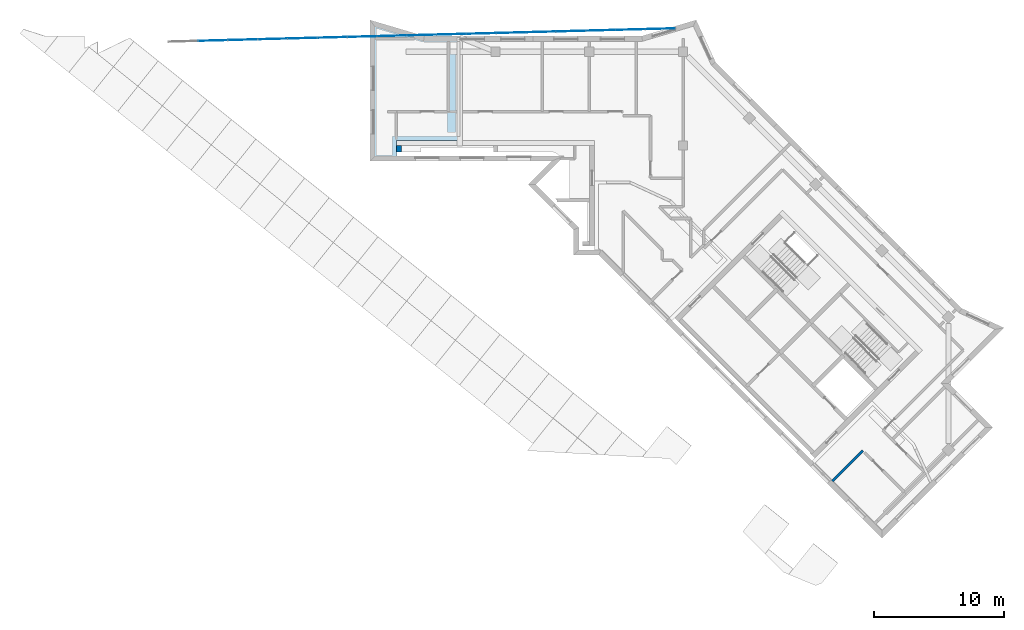
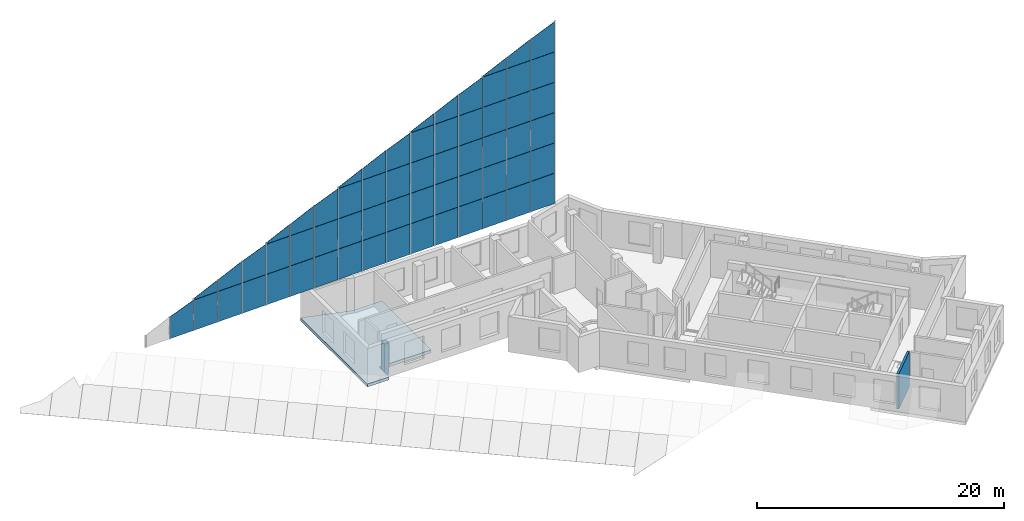
# One storey, part 6 of 13: 61 plates, 2 walls, 1 slab, 1 element without a shape of its own.
"""IFC4 building model written with IfcOpenShell, lengths in metres."""

from ifc_helpers import new_model, si_unit, direction, frame, frame_2d, origin, place, context, subcontext, project, spatial, polyline, rectangle, outline, extrude, material, layer, layer_set, type_object, element, aggregate, save


model = new_model("IFC4")

# Units and contexts
model_context = context("Model", 3, precision=1e-05, world=origin(), true_north=direction((0.0, 1.0)))
body_context = subcontext(model_context, "Body", "Model", "MODEL_VIEW")
ifc_project = project(units=[si_unit("LENGTHUNIT", "METRE"), si_unit("AREAUNIT", "SQUARE_METRE"), si_unit("VOLUMEUNIT", "CUBIC_METRE"), si_unit("PLANEANGLEUNIT", "RADIAN"), si_unit("MASSUNIT", "GRAM", prefix="KILO")], contexts=[model_context])

# Site, building, storey
site_placement = place(None, origin())
site = spatial("IfcSite", under=ifc_project, at=site_placement, CompositionType="ELEMENT")
building_placement = place(site_placement, origin())
building = spatial("IfcBuilding", under=site, at=building_placement, Name="Windrow Commons", CompositionType="ELEMENT")
storey_placement = place(building_placement, frame((0.0, 0.0, 302.0)))
storey = spatial("IfcBuildingStorey", under=building, at=storey_placement, Name="L82", CompositionType="ELEMENT", Elevation=302.0)

# Curtain wall, plates
ifc_material_1 = material(Name="Laminated glass in anodised aluminium frame", Category="aluminium")
curtain_wall_type = type_object("IfcCurtainWallType", Name="Curtain wall crown terrace screen", PredefinedType="USERDEFINED", material=ifc_material_1)
curtain_wall_placement = place(storey_placement, origin())
curtain_wall = element("IfcCurtainWall", 1, at=curtain_wall_placement, inside=storey, type_object=curtain_wall_type, Name="Glazed crown screen L82", ObjectType="STICK", PredefinedType="USERDEFINED")
ifc_material_2 = material(Name="Laminated glass in aluminium frame", Category="aluminium")
ifc_layer_1 = layer(ifc_material_2, 0.03)
ifc_layer_set_1 = layer_set([ifc_layer_1], Name="Crown screen glazing 2400")
plate_type = type_object("IfcPlateType", Name="Crown screen glazing 2400", PredefinedType="SHEET", material=ifc_layer_set_1)
plate_1_placement = place(storey_placement, frame((42.0055, 72.8091, 3.5), z_axis=(0.0262878068, -0.9996544159, 0.0), x_axis=(0.9996544159, 0.0262878068, 0.0)))
plate_1 = element("IfcPlate", 2, at=plate_1_placement, type_object=plate_type, Name="Crown screen glazing L82", PredefinedType="SHEET", context=body_context, shape_type="SweptSolid", body=[
    extrude(outline(polyline([(0.0, 0.0), (2.2292, 0.0), (2.2292, 3.0), (0.0, 2.1601), (0.0, 0.0)])), origin(), (0.0, 0.0, -1.0), 0.03),
])
plate_2_placement = place(storey_placement, frame((44.2938, 72.8693, 3.5), z_axis=(0.026242978, -0.9996555937, 0.0), x_axis=(0.9996555937, 0.026242978, 0.0)))
plate_2 = element("IfcPlate", 3, at=plate_2_placement, type_object=plate_type, Name="Crown screen glazing L82", PredefinedType="SHEET", context=body_context, shape_type="SweptSolid", body=[
    extrude(outline(polyline([(0.0, 0.0), (2.2292, 0.0), (2.2292, 3.0), (0.0, 3.0), (0.0, 0.0)])), origin(), (0.0, 0.0, -1.0), 0.03),
])
plate_3_placement = place(storey_placement, frame((44.2938, 72.8693, 6.52), z_axis=(0.026242978, -0.9996555937, 0.0), x_axis=(0.9996555937, 0.026242978, 0.0)))
plate_3 = element("IfcPlate", 4, at=plate_3_placement, type_object=plate_type, Name="Crown screen glazing L82", PredefinedType="SHEET", context=body_context, shape_type="SweptSolid", body=[
    extrude(outline(polyline([(0.0, 0.0), (2.2292, 0.0), (2.2292, 1.1319), (0.0, 0.136), (0.0, 0.0)])), origin(), (0.0, 0.0, -1.0), 0.03),
])
plate_4_placement = place(storey_placement, frame((46.5822, 72.9294, 3.5), z_axis=(0.0262441549, -0.9996555628, 0.0), x_axis=(0.9996555628, 0.0262441549, 0.0)))
plate_4 = element("IfcPlate", 5, at=plate_4_placement, type_object=plate_type, Name="Crown screen glazing L82", PredefinedType="SHEET", context=body_context, shape_type="SweptSolid", body=[
    extrude(outline(polyline([(0.0, 0.0), (2.2291, 0.0), (2.2291, 3.0), (0.0, 3.0), (0.0, 0.0)])), origin(), (0.0, 0.0, -1.0), 0.03),
])
plate_5_placement = place(storey_placement, frame((46.5822, 72.9294, 6.52), z_axis=(0.0262441549, -0.9996555628, 0.0), x_axis=(0.9996555628, 0.0262441549, 0.0)))
plate_5 = element("IfcPlate", 6, at=plate_5_placement, type_object=plate_type, Name="Crown screen glazing L82", PredefinedType="SHEET", context=body_context, shape_type="SweptSolid", body=[
    extrude(outline(polyline([(0.0, 0.0), (2.2291, 0.0), (2.2291, 2.1278), (0.0, 1.1319), (0.0, 0.0)])), origin(), (0.0, 0.0, -1.0), 0.03),
])
plate_6_placement = place(storey_placement, frame((48.8705, 72.9895, 3.5), z_axis=(0.0262878068, -0.9996544159, 0.0), x_axis=(0.9996544159, 0.0262878068, 0.0)))
plate_6 = element("IfcPlate", 7, at=plate_6_placement, type_object=plate_type, Name="Crown screen glazing L82", PredefinedType="SHEET", context=body_context, shape_type="SweptSolid", body=[
    extrude(outline(polyline([(0.0, 0.0), (2.2292, 0.0), (2.2292, 3.0), (0.0, 3.0), (0.0, 0.0)])), origin(), (0.0, 0.0, -1.0), 0.03),
])
plate_7_placement = place(storey_placement, frame((48.8705, 72.9895, 6.52), z_axis=(0.0262878068, -0.9996544159, 0.0), x_axis=(0.9996544159, 0.0262878068, 0.0)))
plate_7 = element("IfcPlate", 8, at=plate_7_placement, type_object=plate_type, Name="Crown screen glazing L82", PredefinedType="SHEET", context=body_context, shape_type="SweptSolid", body=[
    extrude(outline(polyline([(0.0, 0.0), (2.2292, 0.0), (2.2292, 2.98), (0.0, 2.1278), (0.0, 0.0)])), origin(), (0.0, 0.0, -1.0), 0.03),
])
plate_8_placement = place(storey_placement, frame((51.1589, 73.0496, 3.5), z_axis=(0.0262889858, -0.9996543849, 0.0), x_axis=(0.9996543849, 0.0262889858, 0.0)))
plate_8 = element("IfcPlate", 9, at=plate_8_placement, type_object=plate_type, Name="Crown screen glazing L82", PredefinedType="SHEET", context=body_context, shape_type="SweptSolid", body=[
    extrude(outline(polyline([(0.0, 0.0), (2.2291, 0.0), (2.2291, 3.0), (0.0, 3.0), (0.0, 0.0)])), origin(), (0.0, 0.0, -1.0), 0.03),
])
plate_9_placement = place(storey_placement, frame((51.1589, 73.0496, 6.52), z_axis=(0.0262889858, -0.9996543849, 0.0), x_axis=(0.9996543849, 0.0262889858, 0.0)))
plate_9 = element("IfcPlate", 10, at=plate_9_placement, type_object=plate_type, Name="Crown screen glazing L82", PredefinedType="SHEET", context=body_context, shape_type="SweptSolid", body=[
    extrude(outline(polyline([(0.0, 0.0), (2.2291, 0.0), (2.2291, 2.98), (0.0, 2.98), (0.0, 0.0)])), origin(), (0.0, 0.0, -1.0), 0.03),
])
plate_10_placement = place(storey_placement, frame((51.1589, 73.0496, 9.52), z_axis=(0.0262889858, -0.9996543849, 0.0), x_axis=(0.9996543849, 0.0262889858, 0.0)))
plate_10 = element("IfcPlate", 11, at=plate_10_placement, type_object=plate_type, Name="Crown screen glazing L82", PredefinedType="SHEET", context=body_context, shape_type="SweptSolid", body=[
    extrude(outline(polyline([(0.0, 0.0), (2.2291, 0.0), (2.2291, 1.1196), (0.0, 0.1237), (0.0, 0.0)])), origin(), (0.0, 0.0, -1.0), 0.03),
])
plate_11_placement = place(storey_placement, frame((53.4472, 73.1098, 3.5), z_axis=(0.026242978, -0.9996555937, 0.0), x_axis=(0.9996555937, 0.026242978, 0.0)))
plate_11 = element("IfcPlate", 12, at=plate_11_placement, type_object=plate_type, Name="Crown screen glazing L82", PredefinedType="SHEET", context=body_context, shape_type="SweptSolid", body=[
    extrude(outline(polyline([(0.0, 0.0), (2.2292, 0.0), (2.2292, 3.0), (0.0, 3.0), (0.0, 0.0)])), origin(), (0.0, 0.0, -1.0), 0.03),
])
plate_12_placement = place(storey_placement, frame((53.4472, 73.1098, 6.52), z_axis=(0.026242978, -0.9996555937, 0.0), x_axis=(0.9996555937, 0.026242978, 0.0)))
plate_12 = element("IfcPlate", 13, at=plate_12_placement, type_object=plate_type, Name="Crown screen glazing L82", PredefinedType="SHEET", context=body_context, shape_type="SweptSolid", body=[
    extrude(outline(polyline([(0.0, 0.0), (2.2292, 0.0), (2.2292, 2.98), (0.0, 2.98), (0.0, 0.0)])), origin(), (0.0, 0.0, -1.0), 0.03),
])
plate_13_placement = place(storey_placement, frame((53.4472, 73.1098, 9.52), z_axis=(0.026242978, -0.9996555937, 0.0), x_axis=(0.9996555937, 0.026242978, 0.0)))
plate_13 = element("IfcPlate", 14, at=plate_13_placement, type_object=plate_type, Name="Crown screen glazing L82", PredefinedType="SHEET", context=body_context, shape_type="SweptSolid", body=[
    extrude(outline(polyline([(0.0, 0.0), (2.2292, 0.0), (2.2292, 2.1155), (0.0, 1.1196), (0.0, 0.0)])), origin(), (0.0, 0.0, -1.0), 0.03),
])
plate_14_placement = place(storey_placement, frame((55.7355, 73.1699, 3.5), z_axis=(0.026242978, -0.9996555937, 0.0), x_axis=(0.9996555937, 0.026242978, 0.0)))
plate_14 = element("IfcPlate", 15, at=plate_14_placement, type_object=plate_type, Name="Crown screen glazing L82", PredefinedType="SHEET", context=body_context, shape_type="SweptSolid", body=[
    extrude(outline(polyline([(0.0, 0.0), (2.2292, 0.0), (2.2292, 3.0), (0.0, 3.0), (0.0, 0.0)])), origin(), (0.0, 0.0, -1.0), 0.03),
])
plate_15_placement = place(storey_placement, frame((55.7355, 73.1699, 6.52), z_axis=(0.026242978, -0.9996555937, 0.0), x_axis=(0.9996555937, 0.026242978, 0.0)))
plate_15 = element("IfcPlate", 16, at=plate_15_placement, type_object=plate_type, Name="Crown screen glazing L82", PredefinedType="SHEET", context=body_context, shape_type="SweptSolid", body=[
    extrude(outline(polyline([(0.0, 0.0), (2.2292, 0.0), (2.2292, 2.98), (0.0, 2.98), (0.0, 0.0)])), origin(), (0.0, 0.0, -1.0), 0.03),
])
plate_16_placement = place(storey_placement, frame((55.7355, 73.1699, 9.52), z_axis=(0.026242978, -0.9996555937, 0.0), x_axis=(0.9996555937, 0.026242978, 0.0)))
plate_16 = element("IfcPlate", 17, at=plate_16_placement, type_object=plate_type, Name="Crown screen glazing L82", PredefinedType="SHEET", context=body_context, shape_type="SweptSolid", body=[
    extrude(outline(polyline([(0.0, 0.0), (2.2292, 0.0), (2.2292, 2.98), (0.0, 2.1155), (0.0, 0.0)])), origin(), (0.0, 0.0, -1.0), 0.03),
])
plate_17_placement = place(storey_placement, frame((58.0239, 73.23, 3.5), z_axis=(0.0262878068, -0.9996544159, 0.0), x_axis=(0.9996544159, 0.0262878068, 0.0)))
plate_17 = element("IfcPlate", 18, at=plate_17_placement, type_object=plate_type, Name="Crown screen glazing L82", PredefinedType="SHEET", context=body_context, shape_type="SweptSolid", body=[
    extrude(outline(polyline([(0.0, 0.0), (2.2292, 0.0), (2.2292, 3.0), (0.0, 3.0), (0.0, 0.0)])), origin(), (0.0, 0.0, -1.0), 0.03),
])
plate_18_placement = place(storey_placement, frame((58.0239, 73.23, 6.52), z_axis=(0.0262878068, -0.9996544159, 0.0), x_axis=(0.9996544159, 0.0262878068, 0.0)))
plate_18 = element("IfcPlate", 19, at=plate_18_placement, type_object=plate_type, Name="Crown screen glazing L82", PredefinedType="SHEET", context=body_context, shape_type="SweptSolid", body=[
    extrude(outline(polyline([(0.0, 0.0), (2.2292, 0.0), (2.2292, 2.98), (0.0, 2.98), (0.0, 0.0)])), origin(), (0.0, 0.0, -1.0), 0.03),
])
plate_19_placement = place(storey_placement, frame((58.0239, 73.23, 9.52), z_axis=(0.0262878068, -0.9996544159, 0.0), x_axis=(0.9996544159, 0.0262878068, 0.0)))
plate_19 = element("IfcPlate", 20, at=plate_19_placement, type_object=plate_type, Name="Crown screen glazing L82", PredefinedType="SHEET", context=body_context, shape_type="SweptSolid", body=[
    extrude(outline(polyline([(0.0, 0.0), (2.2292, 0.0), (2.2292, 2.98), (0.0, 2.98), (0.0, 0.0)])), origin(), (0.0, 0.0, -1.0), 0.03),
])
plate_20_placement = place(storey_placement, frame((58.0239, 73.23, 12.52), z_axis=(0.0262878068, -0.9996544159, 0.0), x_axis=(0.9996544159, 0.0262878068, 0.0)))
plate_20 = element("IfcPlate", 21, at=plate_20_placement, type_object=plate_type, Name="Crown screen glazing L82", PredefinedType="SHEET", context=body_context, shape_type="SweptSolid", body=[
    extrude(outline(polyline([(0.0, 0.0), (2.2292, 0.0), (2.2292, 1.1072), (0.0, 0.1114), (0.0, 0.0)])), origin(), (0.0, 0.0, -1.0), 0.03),
])
plate_21_placement = place(storey_placement, frame((60.3122, 73.2901, 3.5), z_axis=(0.0262878068, -0.9996544159, 0.0), x_axis=(0.9996544159, 0.0262878068, 0.0)))
plate_21 = element("IfcPlate", 22, at=plate_21_placement, type_object=plate_type, Name="Crown screen glazing L82", PredefinedType="SHEET", context=body_context, shape_type="SweptSolid", body=[
    extrude(outline(polyline([(0.0, 0.0), (2.2292, 0.0), (2.2292, 3.0), (0.0, 3.0), (0.0, 0.0)])), origin(), (0.0, 0.0, -1.0), 0.03),
])
plate_22_placement = place(storey_placement, frame((60.3122, 73.2901, 6.52), z_axis=(0.0262878068, -0.9996544159, 0.0), x_axis=(0.9996544159, 0.0262878068, 0.0)))
plate_22 = element("IfcPlate", 23, at=plate_22_placement, type_object=plate_type, Name="Crown screen glazing L82", PredefinedType="SHEET", context=body_context, shape_type="SweptSolid", body=[
    extrude(outline(polyline([(0.0, 0.0), (2.2292, 0.0), (2.2292, 2.98), (0.0, 2.98), (0.0, 0.0)])), origin(), (0.0, 0.0, -1.0), 0.03),
])
plate_23_placement = place(storey_placement, frame((60.3122, 73.2901, 9.52), z_axis=(0.0262878068, -0.9996544159, 0.0), x_axis=(0.9996544159, 0.0262878068, 0.0)))
plate_23 = element("IfcPlate", 24, at=plate_23_placement, type_object=plate_type, Name="Crown screen glazing L82", PredefinedType="SHEET", context=body_context, shape_type="SweptSolid", body=[
    extrude(outline(polyline([(0.0, 0.0), (2.2292, 0.0), (2.2292, 2.98), (0.0, 2.98), (0.0, 0.0)])), origin(), (0.0, 0.0, -1.0), 0.03),
])
plate_24_placement = place(storey_placement, frame((60.3122, 73.2901, 12.52), z_axis=(0.0262878068, -0.9996544159, 0.0), x_axis=(0.9996544159, 0.0262878068, 0.0)))
plate_24 = element("IfcPlate", 25, at=plate_24_placement, type_object=plate_type, Name="Crown screen glazing L82", PredefinedType="SHEET", context=body_context, shape_type="SweptSolid", body=[
    extrude(outline(polyline([(0.0, 0.0), (2.2292, 0.0), (2.2292, 2.1031), (0.0, 1.1072), (0.0, 0.0)])), origin(), (0.0, 0.0, -1.0), 0.03),
])
plate_25_placement = place(storey_placement, frame((62.6006, 73.3503, 3.5), z_axis=(0.0262441549, -0.9996555628, 0.0), x_axis=(0.9996555628, 0.0262441549, 0.0)))
plate_25 = element("IfcPlate", 26, at=plate_25_placement, type_object=plate_type, Name="Crown screen glazing L82", PredefinedType="SHEET", context=body_context, shape_type="SweptSolid", body=[
    extrude(outline(polyline([(0.0, 0.0), (2.2291, 0.0), (2.2291, 3.0), (0.0, 3.0), (0.0, 0.0)])), origin(), (0.0, 0.0, -1.0), 0.03),
])
plate_26_placement = place(storey_placement, frame((62.6006, 73.3503, 6.52), z_axis=(0.0262441549, -0.9996555628, 0.0), x_axis=(0.9996555628, 0.0262441549, 0.0)))
plate_26 = element("IfcPlate", 27, at=plate_26_placement, type_object=plate_type, Name="Crown screen glazing L82", PredefinedType="SHEET", context=body_context, shape_type="SweptSolid", body=[
    extrude(outline(polyline([(0.0, 0.0), (2.2291, 0.0), (2.2291, 2.98), (0.0, 2.98), (0.0, 0.0)])), origin(), (0.0, 0.0, -1.0), 0.03),
])
plate_27_placement = place(storey_placement, frame((62.6006, 73.3503, 9.52), z_axis=(0.0262441549, -0.9996555628, 0.0), x_axis=(0.9996555628, 0.0262441549, 0.0)))
plate_27 = element("IfcPlate", 28, at=plate_27_placement, type_object=plate_type, Name="Crown screen glazing L82", PredefinedType="SHEET", context=body_context, shape_type="SweptSolid", body=[
    extrude(outline(polyline([(0.0, 0.0), (2.2291, 0.0), (2.2291, 2.98), (0.0, 2.98), (0.0, 0.0)])), origin(), (0.0, 0.0, -1.0), 0.03),
])
plate_28_placement = place(storey_placement, frame((62.6006, 73.3503, 12.52), z_axis=(0.0262441549, -0.9996555628, 0.0), x_axis=(0.9996555628, 0.0262441549, 0.0)))
plate_28 = element("IfcPlate", 29, at=plate_28_placement, type_object=plate_type, Name="Crown screen glazing L82", PredefinedType="SHEET", context=body_context, shape_type="SweptSolid", body=[
    extrude(outline(polyline([(0.0, 0.0), (2.2291, 0.0), (2.2291, 2.98), (0.0, 2.1031), (0.0, 0.0)])), origin(), (0.0, 0.0, -1.0), 0.03),
])
plate_29_placement = place(storey_placement, frame((64.8889, 73.4104, 3.5), z_axis=(0.026242978, -0.9996555937, 0.0), x_axis=(0.9996555937, 0.026242978, 0.0)))
plate_29 = element("IfcPlate", 30, at=plate_29_placement, type_object=plate_type, Name="Crown screen glazing L82", PredefinedType="SHEET", context=body_context, shape_type="SweptSolid", body=[
    extrude(outline(polyline([(0.0, 0.0), (2.2292, 0.0), (2.2292, 3.0), (0.0, 3.0), (0.0, 0.0)])), origin(), (0.0, 0.0, -1.0), 0.03),
])
plate_30_placement = place(storey_placement, frame((64.8889, 73.4104, 6.52), z_axis=(0.026242978, -0.9996555937, 0.0), x_axis=(0.9996555937, 0.026242978, 0.0)))
plate_30 = element("IfcPlate", 31, at=plate_30_placement, type_object=plate_type, Name="Crown screen glazing L82", PredefinedType="SHEET", context=body_context, shape_type="SweptSolid", body=[
    extrude(outline(polyline([(0.0, 0.0), (2.2292, 0.0), (2.2292, 2.98), (0.0, 2.98), (0.0, 0.0)])), origin(), (0.0, 0.0, -1.0), 0.03),
])
plate_31_placement = place(storey_placement, frame((64.8889, 73.4104, 9.52), z_axis=(0.026242978, -0.9996555937, 0.0), x_axis=(0.9996555937, 0.026242978, 0.0)))
plate_31 = element("IfcPlate", 32, at=plate_31_placement, type_object=plate_type, Name="Crown screen glazing L82", PredefinedType="SHEET", context=body_context, shape_type="SweptSolid", body=[
    extrude(outline(polyline([(0.0, 0.0), (2.2292, 0.0), (2.2292, 2.98), (0.0, 2.98), (0.0, 0.0)])), origin(), (0.0, 0.0, -1.0), 0.03),
])
plate_32_placement = place(storey_placement, frame((64.8889, 73.4104, 12.52), z_axis=(0.026242978, -0.9996555937, 0.0), x_axis=(0.9996555937, 0.026242978, 0.0)))
plate_32 = element("IfcPlate", 33, at=plate_32_placement, type_object=plate_type, Name="Crown screen glazing L82", PredefinedType="SHEET", context=body_context, shape_type="SweptSolid", body=[
    extrude(outline(polyline([(0.0, 0.0), (2.2292, 0.0), (2.2292, 2.98), (0.0, 2.98), (0.0, 0.0)])), origin(), (0.0, 0.0, -1.0), 0.03),
])
plate_33_placement = place(storey_placement, frame((64.8889, 73.4104, 15.52), z_axis=(0.026242978, -0.9996555937, 0.0), x_axis=(0.9996555937, 0.026242978, 0.0)))
plate_33 = element("IfcPlate", 34, at=plate_33_placement, type_object=plate_type, Name="Crown screen glazing L82", PredefinedType="SHEET", context=body_context, shape_type="SweptSolid", body=[
    extrude(outline(polyline([(0.0, 0.0), (2.2292, 0.0), (2.2292, 1.0949), (0.0, 0.099), (0.0, 0.0)])), origin(), (0.0, 0.0, -1.0), 0.03),
])
plate_34_placement = place(storey_placement, frame((67.1773, 73.4705, 3.5), z_axis=(0.0262889858, -0.9996543849, 0.0), x_axis=(0.9996543849, 0.0262889858, 0.0)))
plate_34 = element("IfcPlate", 35, at=plate_34_placement, type_object=plate_type, Name="Crown screen glazing L82", PredefinedType="SHEET", context=body_context, shape_type="SweptSolid", body=[
    extrude(outline(polyline([(0.0, 0.0), (2.2291, 0.0), (2.2291, 3.0), (0.0, 3.0), (0.0, 0.0)])), origin(), (0.0, 0.0, -1.0), 0.03),
])
plate_35_placement = place(storey_placement, frame((67.1773, 73.4705, 6.52), z_axis=(0.0262889858, -0.9996543849, 0.0), x_axis=(0.9996543849, 0.0262889858, 0.0)))
plate_35 = element("IfcPlate", 36, at=plate_35_placement, type_object=plate_type, Name="Crown screen glazing L82", PredefinedType="SHEET", context=body_context, shape_type="SweptSolid", body=[
    extrude(outline(polyline([(0.0, 0.0), (2.2291, 0.0), (2.2291, 2.98), (0.0, 2.98), (0.0, 0.0)])), origin(), (0.0, 0.0, -1.0), 0.03),
])
plate_36_placement = place(storey_placement, frame((67.1773, 73.4705, 9.52), z_axis=(0.0262889858, -0.9996543849, 0.0), x_axis=(0.9996543849, 0.0262889858, 0.0)))
plate_36 = element("IfcPlate", 37, at=plate_36_placement, type_object=plate_type, Name="Crown screen glazing L82", PredefinedType="SHEET", context=body_context, shape_type="SweptSolid", body=[
    extrude(outline(polyline([(0.0, 0.0), (2.2291, 0.0), (2.2291, 2.98), (0.0, 2.98), (0.0, 0.0)])), origin(), (0.0, 0.0, -1.0), 0.03),
])
plate_37_placement = place(storey_placement, frame((67.1773, 73.4705, 12.52), z_axis=(0.0262889858, -0.9996543849, 0.0), x_axis=(0.9996543849, 0.0262889858, 0.0)))
plate_37 = element("IfcPlate", 38, at=plate_37_placement, type_object=plate_type, Name="Crown screen glazing L82", PredefinedType="SHEET", context=body_context, shape_type="SweptSolid", body=[
    extrude(outline(polyline([(0.0, 0.0), (2.2291, 0.0), (2.2291, 2.98), (0.0, 2.98), (0.0, 0.0)])), origin(), (0.0, 0.0, -1.0), 0.03),
])
plate_38_placement = place(storey_placement, frame((67.1773, 73.4705, 15.52), z_axis=(0.0262889858, -0.9996543849, 0.0), x_axis=(0.9996543849, 0.0262889858, 0.0)))
plate_38 = element("IfcPlate", 39, at=plate_38_placement, type_object=plate_type, Name="Crown screen glazing L82", PredefinedType="SHEET", context=body_context, shape_type="SweptSolid", body=[
    extrude(outline(polyline([(0.0, 0.0), (2.2291, 0.0), (2.2291, 2.0908), (0.0, 1.0949), (0.0, 0.0)])), origin(), (0.0, 0.0, -1.0), 0.03),
])
plate_39_placement = place(storey_placement, frame((69.4656, 73.5306, 3.5), z_axis=(0.0262878068, -0.9996544159, 0.0), x_axis=(0.9996544159, 0.0262878068, 0.0)))
plate_39 = element("IfcPlate", 40, at=plate_39_placement, type_object=plate_type, Name="Crown screen glazing L82", PredefinedType="SHEET", context=body_context, shape_type="SweptSolid", body=[
    extrude(outline(polyline([(0.0, 0.0), (2.2292, 0.0), (2.2292, 3.0), (0.0, 3.0), (0.0, 0.0)])), origin(), (0.0, 0.0, -1.0), 0.03),
])
plate_40_placement = place(storey_placement, frame((69.4656, 73.5306, 6.52), z_axis=(0.0262878068, -0.9996544159, 0.0), x_axis=(0.9996544159, 0.0262878068, 0.0)))
plate_40 = element("IfcPlate", 41, at=plate_40_placement, type_object=plate_type, Name="Crown screen glazing L82", PredefinedType="SHEET", context=body_context, shape_type="SweptSolid", body=[
    extrude(outline(polyline([(0.0, 0.0), (2.2292, 0.0), (2.2292, 2.98), (0.0, 2.98), (0.0, 0.0)])), origin(), (0.0, 0.0, -1.0), 0.03),
])
plate_41_placement = place(storey_placement, frame((69.4656, 73.5306, 9.52), z_axis=(0.0262878068, -0.9996544159, 0.0), x_axis=(0.9996544159, 0.0262878068, 0.0)))
plate_41 = element("IfcPlate", 42, at=plate_41_placement, type_object=plate_type, Name="Crown screen glazing L82", PredefinedType="SHEET", context=body_context, shape_type="SweptSolid", body=[
    extrude(outline(polyline([(0.0, 0.0), (2.2292, 0.0), (2.2292, 2.98), (0.0, 2.98), (0.0, 0.0)])), origin(), (0.0, 0.0, -1.0), 0.03),
])
plate_42_placement = place(storey_placement, frame((69.4656, 73.5306, 12.52), z_axis=(0.0262878068, -0.9996544159, 0.0), x_axis=(0.9996544159, 0.0262878068, 0.0)))
plate_42 = element("IfcPlate", 43, at=plate_42_placement, type_object=plate_type, Name="Crown screen glazing L82", PredefinedType="SHEET", context=body_context, shape_type="SweptSolid", body=[
    extrude(outline(polyline([(0.0, 0.0), (2.2292, 0.0), (2.2292, 2.98), (0.0, 2.98), (0.0, 0.0)])), origin(), (0.0, 0.0, -1.0), 0.03),
])
plate_43_placement = place(storey_placement, frame((69.4656, 73.5306, 15.52), z_axis=(0.0262878068, -0.9996544159, 0.0), x_axis=(0.9996544159, 0.0262878068, 0.0)))
plate_43 = element("IfcPlate", 44, at=plate_43_placement, type_object=plate_type, Name="Crown screen glazing L82", PredefinedType="SHEET", context=body_context, shape_type="SweptSolid", body=[
    extrude(outline(polyline([(0.0, 0.0), (2.2292, 0.0), (2.2292, 2.98), (0.0, 2.0908), (0.0, 0.0)])), origin(), (0.0, 0.0, -1.0), 0.03),
])
plate_44_placement = place(storey_placement, frame((71.7539, 73.5908, 3.5), z_axis=(0.026242978, -0.9996555937, 0.0), x_axis=(0.9996555937, 0.026242978, 0.0)))
plate_44 = element("IfcPlate", 45, at=plate_44_placement, type_object=plate_type, Name="Crown screen glazing L82", PredefinedType="SHEET", context=body_context, shape_type="SweptSolid", body=[
    extrude(outline(polyline([(0.0, 0.0), (2.2292, 0.0), (2.2292, 3.0), (0.0, 3.0), (0.0, 0.0)])), origin(), (0.0, 0.0, -1.0), 0.03),
])
plate_45_placement = place(storey_placement, frame((71.7539, 73.5908, 6.52), z_axis=(0.026242978, -0.9996555937, 0.0), x_axis=(0.9996555937, 0.026242978, 0.0)))
plate_45 = element("IfcPlate", 46, at=plate_45_placement, type_object=plate_type, Name="Crown screen glazing L82", PredefinedType="SHEET", context=body_context, shape_type="SweptSolid", body=[
    extrude(outline(polyline([(0.0, 0.0), (2.2292, 0.0), (2.2292, 2.98), (0.0, 2.98), (0.0, 0.0)])), origin(), (0.0, 0.0, -1.0), 0.03),
])
plate_46_placement = place(storey_placement, frame((71.7539, 73.5908, 9.52), z_axis=(0.026242978, -0.9996555937, 0.0), x_axis=(0.9996555937, 0.026242978, 0.0)))
plate_46 = element("IfcPlate", 47, at=plate_46_placement, type_object=plate_type, Name="Crown screen glazing L82", PredefinedType="SHEET", context=body_context, shape_type="SweptSolid", body=[
    extrude(outline(polyline([(0.0, 0.0), (2.2292, 0.0), (2.2292, 2.98), (0.0, 2.98), (0.0, 0.0)])), origin(), (0.0, 0.0, -1.0), 0.03),
])
plate_47_placement = place(storey_placement, frame((71.7539, 73.5908, 12.52), z_axis=(0.026242978, -0.9996555937, 0.0), x_axis=(0.9996555937, 0.026242978, 0.0)))
plate_47 = element("IfcPlate", 48, at=plate_47_placement, type_object=plate_type, Name="Crown screen glazing L82", PredefinedType="SHEET", context=body_context, shape_type="SweptSolid", body=[
    extrude(outline(polyline([(0.0, 0.0), (2.2292, 0.0), (2.2292, 2.98), (0.0, 2.98), (0.0, 0.0)])), origin(), (0.0, 0.0, -1.0), 0.03),
])
plate_48_placement = place(storey_placement, frame((71.7539, 73.5908, 15.52), z_axis=(0.026242978, -0.9996555937, 0.0), x_axis=(0.9996555937, 0.026242978, 0.0)))
plate_48 = element("IfcPlate", 49, at=plate_48_placement, type_object=plate_type, Name="Crown screen glazing L82", PredefinedType="SHEET", context=body_context, shape_type="SweptSolid", body=[
    extrude(outline(polyline([(0.0, 0.0), (2.2292, 0.0), (2.2292, 2.98), (0.0, 2.98), (0.0, 0.0)])), origin(), (0.0, 0.0, -1.0), 0.03),
])
plate_49_placement = place(storey_placement, frame((71.7539, 73.5908, 18.52), z_axis=(0.026242978, -0.9996555937, 0.0), x_axis=(0.9996555937, 0.026242978, 0.0)))
plate_49 = element("IfcPlate", 50, at=plate_49_placement, type_object=plate_type, Name="Crown screen glazing L82", PredefinedType="SHEET", context=body_context, shape_type="SweptSolid", body=[
    extrude(outline(polyline([(0.0, 0.0), (2.2292, 0.0), (2.2292, 1.0826), (0.0, 0.0867), (0.0, 0.0)])), origin(), (0.0, 0.0, -1.0), 0.03),
])
plate_50_placement = place(storey_placement, frame((74.0423, 73.6509, 3.5), z_axis=(0.0262441549, -0.9996555628, 0.0), x_axis=(0.9996555628, 0.0262441549, 0.0)))
plate_50 = element("IfcPlate", 51, at=plate_50_placement, type_object=plate_type, Name="Crown screen glazing L82", PredefinedType="SHEET", context=body_context, shape_type="SweptSolid", body=[
    extrude(outline(polyline([(0.0, 0.0), (2.2291, 0.0), (2.2291, 3.0), (0.0, 3.0), (0.0, 0.0)])), origin(), (0.0, 0.0, -1.0), 0.03),
])
plate_51_placement = place(storey_placement, frame((74.0423, 73.6509, 6.52), z_axis=(0.0262441549, -0.9996555628, 0.0), x_axis=(0.9996555628, 0.0262441549, 0.0)))
plate_51 = element("IfcPlate", 52, at=plate_51_placement, type_object=plate_type, Name="Crown screen glazing L82", PredefinedType="SHEET", context=body_context, shape_type="SweptSolid", body=[
    extrude(outline(polyline([(0.0, 0.0), (2.2291, 0.0), (2.2291, 2.98), (0.0, 2.98), (0.0, 0.0)])), origin(), (0.0, 0.0, -1.0), 0.03),
])
plate_52_placement = place(storey_placement, frame((74.0423, 73.6509, 9.52), z_axis=(0.0262441549, -0.9996555628, 0.0), x_axis=(0.9996555628, 0.0262441549, 0.0)))
plate_52 = element("IfcPlate", 53, at=plate_52_placement, type_object=plate_type, Name="Crown screen glazing L82", PredefinedType="SHEET", context=body_context, shape_type="SweptSolid", body=[
    extrude(outline(polyline([(0.0, 0.0), (2.2291, 0.0), (2.2291, 2.98), (0.0, 2.98), (0.0, 0.0)])), origin(), (0.0, 0.0, -1.0), 0.03),
])
plate_53_placement = place(storey_placement, frame((74.0423, 73.6509, 12.52), z_axis=(0.0262441549, -0.9996555628, 0.0), x_axis=(0.9996555628, 0.0262441549, 0.0)))
plate_53 = element("IfcPlate", 54, at=plate_53_placement, type_object=plate_type, Name="Crown screen glazing L82", PredefinedType="SHEET", context=body_context, shape_type="SweptSolid", body=[
    extrude(outline(polyline([(0.0, 0.0), (2.2291, 0.0), (2.2291, 2.98), (0.0, 2.98), (0.0, 0.0)])), origin(), (0.0, 0.0, -1.0), 0.03),
])
plate_54_placement = place(storey_placement, frame((74.0423, 73.6509, 15.52), z_axis=(0.0262441549, -0.9996555628, 0.0), x_axis=(0.9996555628, 0.0262441549, 0.0)))
plate_54 = element("IfcPlate", 55, at=plate_54_placement, type_object=plate_type, Name="Crown screen glazing L82", PredefinedType="SHEET", context=body_context, shape_type="SweptSolid", body=[
    extrude(outline(polyline([(0.0, 0.0), (2.2291, 0.0), (2.2291, 2.98), (0.0, 2.98), (0.0, 0.0)])), origin(), (0.0, 0.0, -1.0), 0.03),
])
plate_55_placement = place(storey_placement, frame((74.0423, 73.6509, 18.52), z_axis=(0.0262441549, -0.9996555628, 0.0), x_axis=(0.9996555628, 0.0262441549, 0.0)))
plate_55 = element("IfcPlate", 56, at=plate_55_placement, type_object=plate_type, Name="Crown screen glazing L82", PredefinedType="SHEET", context=body_context, shape_type="SweptSolid", body=[
    extrude(outline(polyline([(0.0, 0.0), (2.2291, 0.0), (2.2291, 2.0785), (0.0, 1.0826), (0.0, 0.0)])), origin(), (0.0, 0.0, -1.0), 0.03),
])
plate_56_placement = place(storey_placement, frame((76.3306, 73.711, 3.5), z_axis=(0.0262878068, -0.9996544159, 0.0), x_axis=(0.9996544159, 0.0262878068, 0.0)))
plate_56 = element("IfcPlate", 57, at=plate_56_placement, type_object=plate_type, Name="Crown screen glazing L82", PredefinedType="SHEET", context=body_context, shape_type="SweptSolid", body=[
    extrude(outline(polyline([(0.0, 0.0), (2.2292, 0.0), (2.2292, 3.0), (0.0, 3.0), (0.0, 0.0)])), origin(), (0.0, 0.0, -1.0), 0.03),
])
plate_57_placement = place(storey_placement, frame((76.3306, 73.711, 6.52), z_axis=(0.0262878068, -0.9996544159, 0.0), x_axis=(0.9996544159, 0.0262878068, 0.0)))
plate_57 = element("IfcPlate", 58, at=plate_57_placement, type_object=plate_type, Name="Crown screen glazing L82", PredefinedType="SHEET", context=body_context, shape_type="SweptSolid", body=[
    extrude(outline(polyline([(0.0, 0.0), (2.2292, 0.0), (2.2292, 2.98), (0.0, 2.98), (0.0, 0.0)])), origin(), (0.0, 0.0, -1.0), 0.03),
])
plate_58_placement = place(storey_placement, frame((76.3306, 73.711, 9.52), z_axis=(0.0262878068, -0.9996544159, 0.0), x_axis=(0.9996544159, 0.0262878068, 0.0)))
plate_58 = element("IfcPlate", 59, at=plate_58_placement, type_object=plate_type, Name="Crown screen glazing L82", PredefinedType="SHEET", context=body_context, shape_type="SweptSolid", body=[
    extrude(outline(polyline([(0.0, 0.0), (2.2292, 0.0), (2.2292, 2.98), (0.0, 2.98), (0.0, 0.0)])), origin(), (0.0, 0.0, -1.0), 0.03),
])
plate_59_placement = place(storey_placement, frame((76.3306, 73.711, 12.52), z_axis=(0.0262878068, -0.9996544159, 0.0), x_axis=(0.9996544159, 0.0262878068, 0.0)))
plate_59 = element("IfcPlate", 60, at=plate_59_placement, type_object=plate_type, Name="Crown screen glazing L82", PredefinedType="SHEET", context=body_context, shape_type="SweptSolid", body=[
    extrude(outline(polyline([(0.0, 0.0), (2.2292, 0.0), (2.2292, 2.98), (0.0, 2.98), (0.0, 0.0)])), origin(), (0.0, 0.0, -1.0), 0.03),
])
plate_60_placement = place(storey_placement, frame((76.3306, 73.711, 15.52), z_axis=(0.0262878068, -0.9996544159, 0.0), x_axis=(0.9996544159, 0.0262878068, 0.0)))
plate_60 = element("IfcPlate", 61, at=plate_60_placement, type_object=plate_type, Name="Crown screen glazing L82", PredefinedType="SHEET", context=body_context, shape_type="SweptSolid", body=[
    extrude(outline(polyline([(0.0, 0.0), (2.2292, 0.0), (2.2292, 2.98), (0.0, 2.98), (0.0, 0.0)])), origin(), (0.0, 0.0, -1.0), 0.03),
])
plate_61_placement = place(storey_placement, frame((76.3306, 73.711, 18.52), z_axis=(0.0262878068, -0.9996544159, 0.0), x_axis=(0.9996544159, 0.0262878068, 0.0)))
plate_61 = element("IfcPlate", 62, at=plate_61_placement, type_object=plate_type, Name="Crown screen glazing L82", PredefinedType="SHEET", context=body_context, shape_type="SweptSolid", body=[
    extrude(outline(polyline([(0.0, 0.0), (2.2292, 0.0), (2.2292, 2.98), (0.0, 2.0785), (0.0, 0.0)])), origin(), (0.0, 0.0, -1.0), 0.03),
])
aggregate(curtain_wall, [plate_1, plate_2, plate_3, plate_4, plate_5, plate_6, plate_7, plate_8, plate_9, plate_10, plate_11, plate_12, plate_13, plate_14, plate_15, plate_16, plate_17, plate_18, plate_19, plate_20, plate_21, plate_22, plate_23, plate_24, plate_25, plate_26, plate_27, plate_28, plate_29, plate_30, plate_31, plate_32, plate_33, plate_34, plate_35, plate_36, plate_37, plate_38, plate_39, plate_40, plate_41, plate_42, plate_43, plate_44, plate_45, plate_46, plate_47, plate_48, plate_49, plate_50, plate_51, plate_52, plate_53, plate_54, plate_55, plate_56, plate_57, plate_58, plate_59, plate_60, plate_61])

# Slab
ifc_material_3 = material(Name="Concrete C40/50", Category="concrete")
ifc_layer_2 = layer(ifc_material_3, 0.3)
ifc_layer_set_2 = layer_set([ifc_layer_2], Name="TERRACE SLAB 300 C40/50")
slab_type = type_object("IfcSlabType", Name="TERRACE SLAB 300 C40/50", PredefinedType="FLOOR", material=ifc_layer_set_2)
slab_placement = place(storey_placement, frame((0.0, 0.0, -0.3)))
element("IfcSlab", 63, at=slab_placement, inside=storey, type_object=slab_type, Name="Terrace slab TR-L82-1", PredefinedType="FLOOR", context=body_context, shape_type="SweptSolid", body=[
    extrude(outline(polyline([(55.167, 63.6), (57.2, 63.6), (57.2, 65.2), (62.067, 65.2), (62.067, 73.2), (59.3398, 73.2), (55.167, 74.433), (55.167, 63.6)])), origin(), (0.0, 0.0, 1.0), 0.3),
])

# Walls
ifc_material_4 = material(Name="Blockwork partition", Category="masonry")
ifc_layer_3 = layer(ifc_material_4, 0.2)
ifc_layer_set_3 = layer_set([ifc_layer_3], Name="IW-CORRIDOR-200")
wall_type_1 = type_object("IfcWallType", Name="IW-CORRIDOR-200", PredefinedType="PARTITIONING", material=ifc_layer_set_3)
wall_1_placement = place(storey_placement, frame((90.6543, 39.0497, 0.0), z_axis=(0.0, 0.0, 1.0), x_axis=(0.7071067812, 0.7071067812, 0.0)))
element("IfcWall", 64, at=wall_1_placement, inside=storey, type_object=wall_type_1, Name="W-L82-W017", PredefinedType="PARTITIONING", context=body_context, shape_type="SweptSolid", body=[
    extrude(rectangle(XDim=3.2994, YDim=0.2, at=frame_2d((1.6497, 0.0))), origin(), (0.0, 0.0, 1.0), 3.5),
])
ifc_material_5 = material(Name="Concrete C40/50", Category="concrete")
ifc_layer_4 = layer(ifc_material_5, 0.4)
ifc_layer_set_4 = layer_set([ifc_layer_4], Name="RC CORE WALL 400 C40/50")
wall_type_2 = type_object("IfcWallType", Name="RC CORE WALL 400 C40/50", PredefinedType="SHEAR", material=ifc_layer_set_4)
wall_2_placement = place(storey_placement, frame((57.4, 64.3, -0.3), z_axis=(0.0, 0.0, 1.0), x_axis=(0.0, 1.0, 0.0)))
element("IfcWall", 65, at=wall_2_placement, inside=storey, type_object=wall_type_2, Name="Core A wall outer-W", PredefinedType="SHEAR", context=body_context, shape_type="SweptSolid", body=[
    extrude(outline(polyline([(0.0, 0.0), (0.5, 0.0), (0.5, 3.1), (0.0, 3.1), (0.0, 0.0)])), frame((0.0, 0.2, 0.0), z_axis=(0.0, -1.0, 0.0), x_axis=(1.0, 0.0, 0.0)), (0.0, 0.0, 1.0), 0.4),
])

save(model, "model.ifc")
